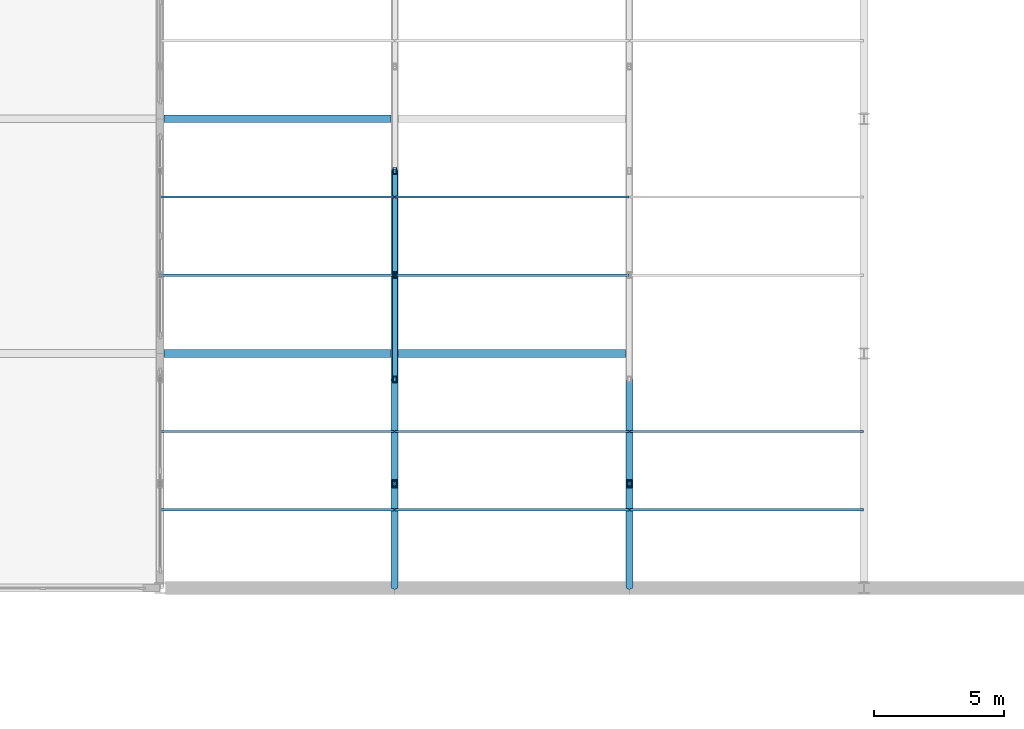
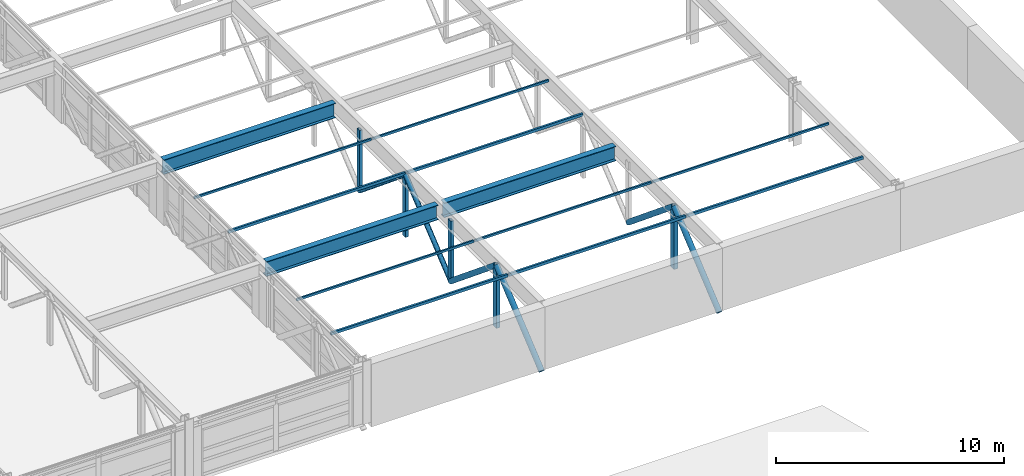
# One storey, part 55 of 91: 21 members, 3 beams.
"""IFC4 building model written with IfcOpenShell, lengths in metres."""

from ifc_helpers import new_model, si_unit, direction, frame, origin, origin_2d, place, context, subcontext, project, spatial, hollow_rectangle, hollow_circle, i_section, extrude, material, material_profile, profile_set, type_object, element, save


model = new_model("IFC4")

# Units and contexts
model_context = context("Model", 3, precision=1e-05, world=origin(), true_north=direction((0.0, 1.0)))
body_context = subcontext(model_context, "Body", "Model", "MODEL_VIEW")
ifc_project = project(units=[si_unit("LENGTHUNIT", "METRE"), si_unit("AREAUNIT", "SQUARE_METRE"), si_unit("VOLUMEUNIT", "CUBIC_METRE"), si_unit("PLANEANGLEUNIT", "RADIAN"), si_unit("MASSUNIT", "GRAM", prefix="KILO")], contexts=[model_context])

# Site, building, storey
site_placement = place(None, origin())
site = spatial("IfcSite", under=ifc_project, at=site_placement, CompositionType="ELEMENT")
building_placement = place(site_placement, origin())
building = spatial("IfcBuilding", under=site, at=building_placement, Name="Palais des Congres Ocreval", CompositionType="ELEMENT")
storey_placement = place(building_placement, frame((0.0, 0.0, 8.159912109375)))
storey = spatial("IfcBuildingStorey", under=building, at=storey_placement, Name="L02", CompositionType="ELEMENT", Elevation=8.159912109375)

# Members
ifc_material = material(Name="Steel S355", Category="steel")
ifc_material_profile_1 = material_profile(ifc_material, hollow_circle(Radius=0.122314453125, WallThickness=0.012451171875, at=origin_2d()), Name="CHS 244.5x12.5")
ifc_profile_set_1 = profile_set([ifc_material_profile_1], Name="Steel S355")
member_type_1 = type_object("IfcMemberType", Name="Diagonal Brace CHS 244.5x12.5 Steel S355", PredefinedType="BRACE", material=ifc_profile_set_1)
for number, where, z_axis, x_axis, name in (
    (1, (135.0, 80.0, -0.5), (0.0, 0.772316531173, 0.635237889044), (-1.0, 0.0, 0.0), "Transfer Truss Web Diagonal V2-135-3"),
    (2, (135.0, 84.0, 2.7900390625), (0.0, 0.772316531173, -0.635237889044), (-1.0, 0.0, 0.0), "Transfer Truss Web Diagonal V2-135-4"),
):
    element("IfcMember", number, at=place(storey_placement, frame(where, z_axis=z_axis, x_axis=x_axis)), inside=storey, type_object=member_type_1, Name=name, PredefinedType="BRACE", context=body_context, shape_type="SweptSolid", body=[
        extrude(hollow_circle(Radius=0.122314453125, WallThickness=0.012451171875, at=origin_2d()), origin(), (0.0, 0.0, 1.0), 5.17919921875),
    ])
ifc_material_profile_2 = material_profile(ifc_material, hollow_circle(Radius=0.136474609375, WallThickness=0.01611328125, at=origin_2d()), Name="CHS 273x16")
ifc_profile_set_2 = profile_set([ifc_material_profile_2], Name="Steel S355")
member_type_2 = type_object("IfcMemberType", Name="Diagonal Brace CHS 273x16 Steel S355", PredefinedType="BRACE", material=ifc_profile_set_2)
member_1_placement = place(storey_placement, frame((135.0, 72.0400390625, -0.5), z_axis=(0.0, 0.76916885685, 0.639045592781), x_axis=(-1.0, 0.0, 0.0)))
element("IfcMember", 3, at=member_1_placement, inside=storey, type_object=member_type_2, Name="Transfer Truss Web Diagonal V2-135-1", PredefinedType="BRACE", context=body_context, shape_type="SweptSolid", body=[
    extrude(hollow_circle(Radius=0.136474609375, WallThickness=0.01611328125, at=origin_2d()), origin(), (0.0, 0.0, 1.0), 5.1484375),
])
member_2_placement = place(storey_placement, frame((135.0, 76.0, 2.7900390625), z_axis=(0.0, 0.772316531173, -0.635237889044), x_axis=(-1.0, 0.0, 0.0)))
element("IfcMember", 4, at=member_2_placement, inside=storey, type_object=member_type_2, Name="Transfer Truss Web Diagonal V2-135-2", PredefinedType="BRACE", context=body_context, shape_type="SweptSolid", body=[
    extrude(hollow_circle(Radius=0.136474609375, WallThickness=0.01611328125, at=origin_2d()), origin(), (0.0, 0.0, 1.0), 5.17919921875),
])
member_3_placement = place(storey_placement, frame((144.0, 72.0400390625, -0.5), z_axis=(0.0, 0.76916885685, 0.639045592781), x_axis=(-1.0, 0.0, 0.0)))
element("IfcMember", 5, at=member_3_placement, inside=storey, type_object=member_type_2, Name="Transfer Truss Web Diagonal V2-144-1", PredefinedType="BRACE", context=body_context, shape_type="SweptSolid", body=[
    extrude(hollow_circle(Radius=0.136474609375, WallThickness=0.01611328125, at=origin_2d()), origin(), (0.0, 0.0, 1.0), 5.1484375),
])
member_4_placement = place(storey_placement, frame((144.0, 76.0, 2.7900390625), z_axis=(0.0, 0.772316531173, -0.635237889044), x_axis=(-1.0, 0.0, 0.0)))
element("IfcMember", 6, at=member_4_placement, inside=storey, type_object=member_type_2, Name="Transfer Truss Web Diagonal V2-144-2", PredefinedType="BRACE", context=body_context, shape_type="SweptSolid", body=[
    extrude(hollow_circle(Radius=0.136474609375, WallThickness=0.01611328125, at=origin_2d()), origin(), (0.0, 0.0, 1.0), 5.17919921875),
])

# Beams
ifc_material_profile_3 = material_profile(ifc_material, i_section(OverallWidth=0.300048828125, OverallDepth=0.7900390625, WebThickness=0.014892578125, FlangeThickness=0.028076171875, at=origin_2d()), Name="HEA 800")
ifc_profile_set_3 = profile_set([ifc_material_profile_3], Name="Steel S355")
beam_type = type_object("IfcBeamType", Name="Long-Span Girder HEA 800 Steel S355", PredefinedType="BEAM", material=ifc_profile_set_3)
for number, where, z_axis, x_axis, name in (
    (7, (126.14794921875, 81.0, 2.710205078125), (1.0, 0.0, 0.0), (0.0, 1.0, 0.0), "Ballroom Truss Tie Girder B15"),
    (8, (126.14794921875, 90.0, 2.710205078125), (1.0, 0.0, 0.0), (0.0, 1.0, 0.0), "Ballroom Truss Tie Girder B15"),
    (9, (135.14794921875, 81.0, 2.710205078125), (1.0, 0.0, 0.0), (0.0, 1.0, 0.0), "Ballroom Truss Tie Girder B15"),
):
    element("IfcBeam", number, at=place(storey_placement, frame(where, z_axis=z_axis, x_axis=x_axis)), inside=storey, type_object=beam_type, Name=name, PredefinedType="BEAM", context=body_context, shape_type="SweptSolid", body=[
        extrude(i_section(OverallWidth=0.300048828125, OverallDepth=0.7900390625, WebThickness=0.014892578125, FlangeThickness=0.028076171875, at=origin_2d()), origin(), (0.0, 0.0, 1.0), 8.7041015625),
    ])

# Members
ifc_material_profile_4 = material_profile(ifc_material, hollow_rectangle(XDim=0.080078125, YDim=0.1201171875, WallThickness=0.00634765625, at=origin_2d()), Name="RHS 120x80x6.3")
ifc_profile_set_4 = profile_set([ifc_material_profile_4], Name="Steel S355")
member_type_3 = type_object("IfcMemberType", Name="Roof Purlin RHS 120x80x6.3 Steel S355", PredefinedType="PURLIN", material=ifc_profile_set_4)
for number, where, z_axis, x_axis, name in (
    (10, (126.02001953125, 78.0, 2.860107421875), (1.0, 0.0, 0.0), (0.0, 1.0, 0.0), "Sawtooth Roof Purlin PU05"),
    (11, (126.02001953125, 87.0, 2.860107421875), (1.0, 0.0, 0.0), (0.0, 1.0, 0.0), "Sawtooth Roof Purlin PU05"),
    (12, (135.02001953125, 78.0, 2.860107421875), (1.0, 0.0, 0.0), (0.0, 1.0, 0.0), "Sawtooth Roof Purlin PU05"),
    (13, (135.02001953125, 87.0, 2.860107421875), (1.0, 0.0, 0.0), (0.0, 1.0, 0.0), "Sawtooth Roof Purlin PU05"),
    (14, (144.02001953125, 78.0, 2.860107421875), (1.0, 0.0, 0.0), (0.0, 1.0, 0.0), "Sawtooth Roof Purlin PU05"),
):
    element("IfcMember", number, at=place(storey_placement, frame(where, z_axis=z_axis, x_axis=x_axis)), inside=storey, type_object=member_type_3, Name=name, PredefinedType="PURLIN", context=body_context, shape_type="SweptSolid", body=[
        extrude(hollow_rectangle(XDim=0.080078125, YDim=0.1201171875, WallThickness=0.00634765625, at=origin_2d()), origin(), (0.0, 0.0, 1.0), 8.9599609375),
    ])
ifc_material_profile_5 = material_profile(ifc_material, hollow_rectangle(XDim=0.10009765625, YDim=0.14990234375, WallThickness=0.008056640625, at=origin_2d()), Name="RHS 150x100x8")
ifc_profile_set_5 = profile_set([ifc_material_profile_5], Name="Steel S355")
member_type_4 = type_object("IfcMemberType", Name="Roof Purlin RHS 150x100x8 Steel S355", PredefinedType="PURLIN", material=ifc_profile_set_5)
for number, where, z_axis, x_axis, name in (
    (15, (126.02001953125, 75.0, 2.860107421875), (1.0, 0.0, 0.0), (0.0, 1.0, 0.0), "Sawtooth Roof Purlin PU04"),
    (16, (126.02001953125, 84.0, 2.860107421875), (1.0, 0.0, 0.0), (0.0, 1.0, 0.0), "Sawtooth Roof Purlin PU04"),
    (17, (135.02001953125, 75.0, 2.860107421875), (1.0, 0.0, 0.0), (0.0, 1.0, 0.0), "Sawtooth Roof Purlin PU04"),
    (18, (135.02001953125, 84.0, 2.860107421875), (1.0, 0.0, 0.0), (0.0, 1.0, 0.0), "Sawtooth Roof Purlin PU04"),
    (19, (144.02001953125, 75.0, 2.860107421875), (1.0, 0.0, 0.0), (0.0, 1.0, 0.0), "Sawtooth Roof Purlin PU04"),
):
    element("IfcMember", number, at=place(storey_placement, frame(where, z_axis=z_axis, x_axis=x_axis)), inside=storey, type_object=member_type_4, Name=name, PredefinedType="PURLIN", context=body_context, shape_type="SweptSolid", body=[
        extrude(hollow_rectangle(XDim=0.10009765625, YDim=0.14990234375, WallThickness=0.008056640625, at=origin_2d()), origin(), (0.0, 0.0, 1.0), 8.9599609375),
    ])
ifc_material_profile_6 = material_profile(ifc_material, hollow_rectangle(XDim=0.14990234375, YDim=0.25, WallThickness=0.012451171875, at=origin_2d()), Name="RHS 250x150x12.5")
ifc_profile_set_6 = profile_set([ifc_material_profile_6], Name="Steel S355")
member_type_5 = type_object("IfcMemberType", Name="Truss Strut RHS 250x150x12.5 Steel S355", PredefinedType="STRUT", material=ifc_profile_set_6)
for number, where, z_axis, x_axis, name in (
    (20, (135.0, 80.0, -0.5), (0.0, 0.0, 1.0), (1.0, 0.0, 0.0), "Transfer Truss Vertical Post V2-135-2"),
    (21, (135.0, 84.0, -0.5), (0.0, 0.0, 1.0), (1.0, 0.0, 0.0), "Transfer Truss Vertical Post V2-135-3"),
    (22, (135.0, 88.0, -0.5), (0.0, 0.0, 1.0), (1.0, 0.0, 0.0), "Transfer Truss Vertical Post V2-135-4"),
):
    element("IfcMember", number, at=place(storey_placement, frame(where, z_axis=z_axis, x_axis=x_axis)), inside=storey, type_object=member_type_5, Name=name, PredefinedType="STRUT", context=body_context, shape_type="SweptSolid", body=[
        extrude(hollow_rectangle(XDim=0.14990234375, YDim=0.25, WallThickness=0.012451171875, at=origin_2d()), origin(), (0.0, 0.0, 1.0), 3.2900390625),
    ])
ifc_material_profile_7 = material_profile(ifc_material, hollow_rectangle(XDim=0.199951171875, YDim=0.300048828125, WallThickness=0.012451171875, at=origin_2d()), Name="RHS 300x200x12.5")
ifc_profile_set_7 = profile_set([ifc_material_profile_7], Name="Steel S355")
member_type_6 = type_object("IfcMemberType", Name="Truss Strut RHS 300x200x12.5 Steel S355", PredefinedType="STRUT", material=ifc_profile_set_7)
for number, where, z_axis, x_axis, name in (
    (23, (135.0, 76.0, -0.5), (0.0, 0.0, 1.0), (1.0, 0.0, 0.0), "Transfer Truss Vertical Post V2-135-1"),
    (24, (144.0, 76.0, -0.5), (0.0, 0.0, 1.0), (1.0, 0.0, 0.0), "Transfer Truss Vertical Post V2-144-1"),
):
    element("IfcMember", number, at=place(storey_placement, frame(where, z_axis=z_axis, x_axis=x_axis)), inside=storey, type_object=member_type_6, Name=name, PredefinedType="STRUT", context=body_context, shape_type="SweptSolid", body=[
        extrude(hollow_rectangle(XDim=0.199951171875, YDim=0.300048828125, WallThickness=0.012451171875, at=origin_2d()), origin(), (0.0, 0.0, 1.0), 3.2900390625),
    ])

save(model, "model.ifc")
